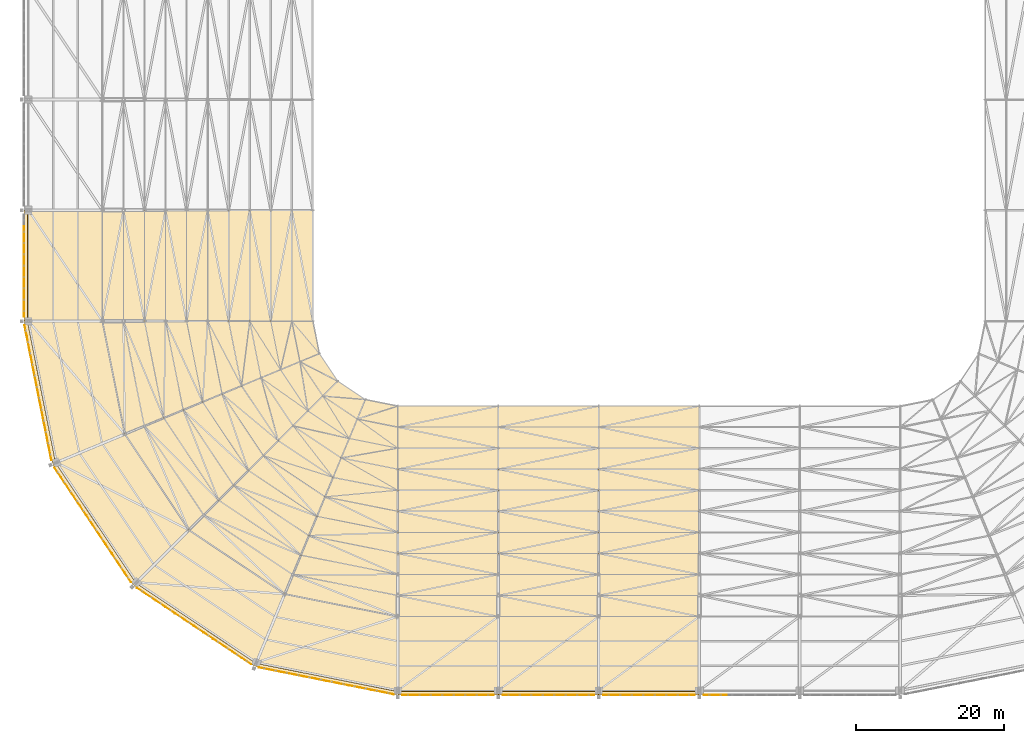
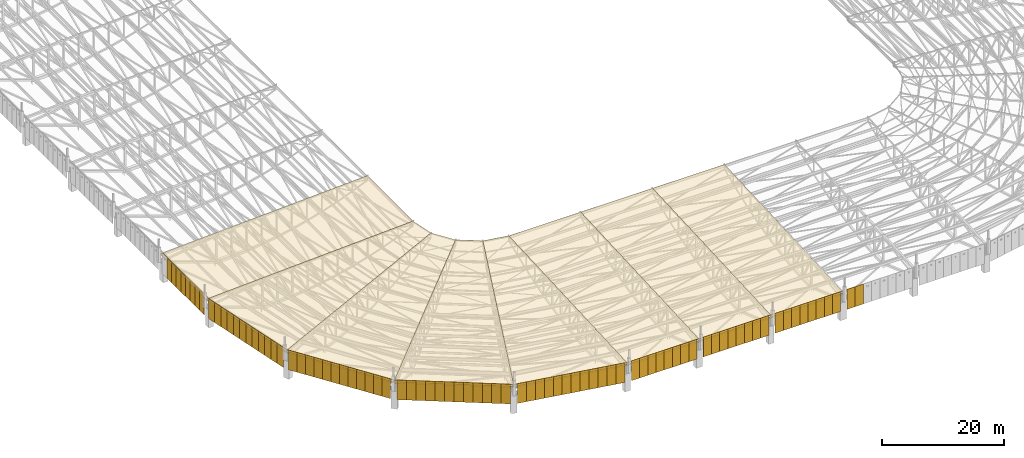
# One storey, part 271 of 278: 82 shading devices, 16 coverings.
"""IFC4 building model written with IfcOpenShell, lengths in metres."""

import ifcopenshell
import ifcopenshell.guid

model = None  # the IFC model being written
_history = None  # IfcOwnerHistory: only IFC2X3 demands one
_inside = {}  # id of a spatial element -> (the spatial element, [elements in it])
_under = {}  # id of a project, library or spatial element -> (it, [spatial elements below it])
_declared = {}  # id of a project -> (the project, [libraries it declares])
_typed = {}  # id of a type object -> (the type object, [elements of that type])
_made_of = {}  # id of a material, layer set ... -> (it, [elements and type objects made of it])


def new_model(schema):
    """Start an empty IFC model of exactly this schema.

    Asked for "IFC4X3", IfcOpenShell would pick the latest addendum, in which some entities
    have other attributes; the version numbers below select the first issue.
    IFC2X3 requires an IfcOwnerHistory on every rooted entity: one is made here for all.
    """
    global model, _history
    if schema == "IFC4X3":
        model = ifcopenshell.file(schema_version=(4, 3, 0, 0))
    else:
        model = ifcopenshell.file(schema=schema)
    _inside.clear()
    _under.clear()
    _declared.clear()
    _typed.clear()
    _made_of.clear()
    _history = None
    if model.schema == "IFC2X3":
        org = make("IfcOrganization", Name="unknown")
        user = make(
            "IfcPersonAndOrganization",
            ThePerson=make("IfcPerson", FamilyName="unknown"),
            TheOrganization=org,
        )
        app = make(
            "IfcApplication",
            ApplicationDeveloper=org,
            Version="unknown",
            ApplicationFullName="unknown",
            ApplicationIdentifier="unknown",
        )
        _history = make(
            "IfcOwnerHistory",
            OwningUser=user,
            OwningApplication=app,
            ChangeAction="ADDED",
            CreationDate=0,
        )
    return model


def make(cls, **values):
    """One entity of the class cls with the attributes given. An attribute that is None is left unset."""
    return model.create_entity(
        cls, **{name: value for name, value in values.items() if value is not None}
    )


def rooted(cls, **values):
    """An entity with a GlobalId (a new one), such as an element, a storey or a relation."""
    return make(cls, GlobalId=ifcopenshell.guid.new(), OwnerHistory=_history, **values)


def si_unit(unit_type, name, prefix=None):
    """IfcSIUnit, for example si_unit("LENGTHUNIT", "METRE", prefix="MILLI")."""
    return make("IfcSIUnit", UnitType=unit_type, Prefix=prefix, Name=name)


def assignment(units):
    """IfcUnitAssignment: the units of a project."""
    return None if units is None else make("IfcUnitAssignment", Units=units)


def point(xyz):
    """IfcCartesianPoint."""
    return None if xyz is None else make("IfcCartesianPoint", Coordinates=xyz)


def direction(xyz):
    """IfcDirection."""
    return None if xyz is None else make("IfcDirection", DirectionRatios=xyz)


def frame(location, z_axis=None, x_axis=None):
    """IfcAxis2Placement3D, a coordinate frame: its origin and axes. An axis left out is left unset."""
    return make(
        "IfcAxis2Placement3D",
        Location=point(location),
        Axis=direction(z_axis),
        RefDirection=direction(x_axis),
    )


def frame_2d(location, x_axis=None):
    """IfcAxis2Placement2D, a coordinate frame in the plane: its origin and x axis."""
    return make(
        "IfcAxis2Placement2D", Location=point(location), RefDirection=direction(x_axis)
    )


def origin():
    """The frame at (0, 0, 0) with its axes left unset."""
    return frame((0.0, 0.0, 0.0))


def origin_2d():
    """The frame at (0, 0) in the plane with its x axis left unset."""
    return frame_2d((0.0, 0.0))


def place(relative_to, where):
    """IfcLocalPlacement: puts the frame where relative to a parent placement (None: the world)."""
    return make(
        "IfcLocalPlacement", PlacementRelTo=relative_to, RelativePlacement=where
    )


def context(
    kind, dimensions, precision=None, world=None, true_north=None, identifier=None
):
    """IfcGeometricRepresentationContext, for example the 3D "Model" context."""
    return make(
        "IfcGeometricRepresentationContext",
        ContextIdentifier=identifier,
        ContextType=kind,
        CoordinateSpaceDimension=dimensions,
        Precision=precision,
        WorldCoordinateSystem=world,
        TrueNorth=true_north,
    )


def subcontext(parent, identifier, kind, view, scale=None):
    """IfcGeometricRepresentationSubContext, for example "Body" below "Model"."""
    return make(
        "IfcGeometricRepresentationSubContext",
        ContextIdentifier=identifier,
        ContextType=kind,
        ParentContext=parent,
        TargetScale=scale,
        TargetView=view,
    )


def project(units=None, contexts=None):
    """IfcProject with its units and contexts."""
    return rooted(
        "IfcProject",
        Name="project",
        RepresentationContexts=contexts,
        UnitsInContext=assignment(units),
    )


def spatial(cls, under=None, at=None, **own):
    """A site, building, storey or space (cls), placed at a placement, below another one or the project."""
    s = rooted(cls, ObjectPlacement=at, **own)
    if under is not None:
        _under.setdefault(under.id(), (under, []))[1].append(s)
    return s


def polyline(points):
    """IfcPolyline through the points."""
    return make("IfcPolyline", Points=[point(p) for p in points])


def profile(cls, at=None, kind="AREA", **sizes):
    """A parametric profile (cls). Its sizes go by their IFC names, for example OverallWidth=200.0."""
    return make(cls, ProfileType=kind, Position=at, **sizes)


def rectangle(**sizes):
    """IfcRectangleProfileDef."""
    return profile("IfcRectangleProfileDef", **sizes)


def outline(outer, holes=None, kind="AREA"):
    """IfcArbitraryClosedProfileDef: a profile drawn as a closed curve; with holes, ...WithVoids."""
    if holes is None:
        return make("IfcArbitraryClosedProfileDef", ProfileType=kind, OuterCurve=outer)
    return make(
        "IfcArbitraryProfileDefWithVoids",
        ProfileType=kind,
        OuterCurve=outer,
        InnerCurves=holes,
    )


def extrude(swept, where, along, depth):
    """IfcExtrudedAreaSolid: the profile swept, set in the frame where, extruded along a direction by depth."""
    return make(
        "IfcExtrudedAreaSolid",
        SweptArea=swept,
        Position=where,
        ExtrudedDirection=direction(along),
        Depth=depth,
    )


def shape(context_of_items, identifier, shape_type, items):
    """IfcShapeRepresentation: the items that make up one representation, for example the "Body"."""
    return make(
        "IfcShapeRepresentation",
        ContextOfItems=context_of_items,
        RepresentationIdentifier=identifier,
        RepresentationType=shape_type,
        Items=items,
    )


def material(Name=None, Category=None):
    """IfcMaterial."""
    return make("IfcMaterial", Name=Name, Category=Category)


def layer(
    of_material, thickness, ventilated=None, Name=None, Category=None, Priority=None
):
    """IfcMaterialLayer: one layer of a wall or slab, of a material (None: an air gap)."""
    return make(
        "IfcMaterialLayer",
        Material=of_material,
        LayerThickness=thickness,
        IsVentilated=ventilated,
        Name=Name,
        Category=Category,
        Priority=Priority,
    )


def layer_set(layers, Name=None):
    """IfcMaterialLayerSet."""
    return make("IfcMaterialLayerSet", MaterialLayers=layers, LayerSetName=Name)


def made_of(thing, what):
    """Note that an element or type object is made of a material, layer set ...; save() writes the relation."""
    if what is not None:
        _made_of.setdefault(what.id(), (what, []))[1].append(thing)
    return thing


def type_object(cls, material=None, **own):
    """A type object (cls), such as IfcWallType, which elements share."""
    return made_of(rooted(cls, **own), material)


def element(
    cls,
    number,
    at=None,
    inside=None,
    cuts=None,
    type_object=None,
    material=None,
    context=None,
    identifier="Body",
    shape_type=None,
    held_by="IfcProductDefinitionShape",
    body=None,
    shapes=None,
    **own,
):
    """One element of the class cls, such as IfcWall. Its Tag is "e" and its number.

    at: its placement. inside: the storey or other place that contains it. cuts: it is an
    opening in that element (IfcRelVoidsElement). A single representation is given by context,
    identifier, shape_type and body (its items); several are given by shapes. held_by: the class
    of the entity that holds the representations. save() writes the other relations.
    """
    e = rooted(cls, Tag="e%d" % number, ObjectPlacement=at, **own)
    if body is not None:
        shapes = [shape(context, identifier, shape_type, body)]
    if shapes is not None:
        e.Representation = make(held_by, Representations=shapes)
    if inside is not None:
        _inside.setdefault(inside.id(), (inside, []))[1].append(e)
    if cuts is not None:
        rooted(
            "IfcRelVoidsElement", RelatingBuildingElement=cuts, RelatedOpeningElement=e
        )
    if type_object is not None:
        _typed.setdefault(type_object.id(), (type_object, []))[1].append(e)
    return made_of(e, material)


def aggregate(whole, parts):
    """IfcRelAggregates: a whole, such as a stair, and the parts it consists of."""
    return rooted("IfcRelAggregates", RelatingObject=whole, RelatedObjects=parts)


def save(model, path):
    """Write the relations noted so far, then the file.

    IfcRelAggregates (storeys below a building ...), IfcRelContainedInSpatialStructure (elements
    in a storey), IfcRelDefinesByType, IfcRelAssociatesMaterial and IfcRelDeclares: one each for
    every whole, place, type object, material and project.
    """
    for whole, parts in _under.values():
        aggregate(whole, parts)
    for where, things in _inside.values():
        rooted(
            "IfcRelContainedInSpatialStructure",
            RelatedElements=things,
            RelatingStructure=where,
        )
    for kind, things in _typed.values():
        rooted("IfcRelDefinesByType", RelatedObjects=things, RelatingType=kind)
    for what, things in _made_of.values():
        rooted("IfcRelAssociatesMaterial", RelatedObjects=things, RelatingMaterial=what)
    for by, libraries in _declared.values():
        rooted("IfcRelDeclares", RelatingContext=by, RelatedDefinitions=libraries)
    model.write(path)


model = new_model("IFC4")

# Units and contexts
model_context = context("Model", 3, precision=1e-05, world=origin(), true_north=direction((0.0, 1.0)))
body_context = subcontext(model_context, "Body", "Model", "MODEL_VIEW")
ifc_project = project(units=[si_unit("LENGTHUNIT", "METRE"), si_unit("AREAUNIT", "SQUARE_METRE"), si_unit("VOLUMEUNIT", "CUBIC_METRE"), si_unit("PLANEANGLEUNIT", "RADIAN"), si_unit("MASSUNIT", "GRAM", prefix="KILO")], contexts=[model_context])

# Site, building, storey
site_placement = place(None, origin())
site = spatial("IfcSite", under=ifc_project, at=site_placement, CompositionType="ELEMENT")
building_placement = place(site_placement, origin())
building = spatial("IfcBuilding", under=site, at=building_placement, Name="Ogive Plaza Stadium", CompositionType="ELEMENT")
storey_placement = place(building_placement, frame((0.0, 0.0, 29.0)))
storey = spatial("IfcBuildingStorey", under=building, at=storey_placement, Name="Roof", CompositionType="ELEMENT", Elevation=29.0)

# Coverings
ifc_material_1 = material(Name="Titanium-zinc sheet", Category="metal")
ifc_layer_1 = layer(ifc_material_1, 0.010009765625)
ifc_layer_set_1 = layer_set([ifc_layer_1], Name="Eave box gutter")
covering_type_1 = type_object("IfcCoveringType", Name="Eave box gutter", PredefinedType="CLADDING", material=ifc_layer_set_1)
for number, where, z_axis, x_axis, name in (
    (1, (0.0, -102.87744140625, 5.2001953125), (0.0, 0.0, 1.0), (-1.0, 0.0, 0.0), "EAVE GUTTER B14"),
    (2, (-13.60009765625, -102.87744140625, 5.2001953125), (0.0, 0.0, 1.0), (-1.0, 0.0, 0.0), "EAVE GUTTER B15"),
    (3, (-27.199951171875, -102.87744140625, 5.2001953125), (0.0, 0.0, 1.0), (-1.0, 0.0, 0.0), "EAVE GUTTER B16"),
):
    element("IfcCovering", number, at=place(storey_placement, frame(where, z_axis=z_axis, x_axis=x_axis)), inside=storey, type_object=covering_type_1, Name=name, PredefinedType="CLADDING", context=body_context, shape_type="SweptSolid", body=[
        extrude(rectangle(XDim=13.60009765625, YDim=0.449951171875, at=origin_2d()), origin(), (0.0, 0.0, 1.0), 0.300048828125),
    ])
for number, where, z_axis, x_axis, name in (
    (4, (-43.64013671875, -100.96435546875, 5.2001953125), (0.0, 0.0, 1.0), (-0.980785280403, 0.195090322016, 0.0), "EAVE GUTTER B17"),
    (5, (-61.452880859375, -93.5859375, 5.2001953125), (0.0, 0.0, 1.0), (-0.831469612303, 0.55557023302, 0.0), "EAVE GUTTER B18"),
    (6, (-75.0859375, -79.952880859375, 5.2001953125), (0.0, 0.0, 1.0), (-0.55557023302, 0.831469612303, 0.0), "EAVE GUTTER B19"),
    (7, (-82.46435546875, -62.14013671875, 5.2001953125), (0.0, 0.0, 1.0), (-0.195090322016, 0.980785280403, 0.0), "EAVE GUTTER B20"),
):
    element("IfcCovering", number, at=place(storey_placement, frame(where, z_axis=z_axis, x_axis=x_axis)), inside=storey, type_object=covering_type_1, Name=name, PredefinedType="CLADDING", context=body_context, shape_type="SweptSolid", body=[
        extrude(rectangle(XDim=19.568603515625, YDim=0.449951171875, at=origin_2d()), origin(), (0.0, 0.0, 1.0), 0.300048828125),
    ])
covering_1_placement = place(storey_placement, frame((-84.37744140625, -45.0, 5.2001953125), z_axis=(0.0, 0.0, 1.0), x_axis=(0.0, 1.0, 0.0)))
element("IfcCovering", 8, at=covering_1_placement, inside=storey, type_object=covering_type_1, Name="EAVE GUTTER B21", PredefinedType="CLADDING", context=body_context, shape_type="SweptSolid", body=[
    extrude(rectangle(XDim=15.0, YDim=0.449951171875, at=origin_2d()), origin(), (0.0, 0.0, 1.0), 0.300048828125),
])
ifc_material_2 = material(Name="PTFE-coated glass-fibre membrane", Category="glass")
ifc_layer_2 = layer(ifc_material_2, 0.050048828125)
ifc_layer_set_2 = layer_set([ifc_layer_2], Name="Roof membrane panel")
covering_type_2 = type_object("IfcCoveringType", Name="Roof membrane panel", PredefinedType="ROOFING", material=ifc_layer_set_2)
covering_2_placement = place(storey_placement, frame((6.800048828125, -64.0, 7.47509765625), z_axis=(0.0, -0.049937616944, 0.998752338878), x_axis=(0.0, -0.998752338878, -0.049937616944)))
element("IfcCovering", 9, at=covering_2_placement, inside=storey, type_object=covering_type_2, Name="ROOF PANEL B14", PredefinedType="ROOFING", context=body_context, shape_type="SweptSolid", body=[
    extrude(outline(polyline([(0.0, 0.0), (38.7006290202315, 0.0), (38.7006290202315, -13.60009765625), (0.0, -13.60009765625), (0.0, 0.0)])), origin(), (0.0, 0.0, -1.0), 0.050048828125),
])
covering_3_placement = place(storey_placement, frame((-6.800048828125, -64.0, 7.47509765625), z_axis=(0.0, -0.049937616944, 0.998752338878), x_axis=(0.0, -0.998752338878, -0.049937616944)))
element("IfcCovering", 10, at=covering_3_placement, inside=storey, type_object=covering_type_2, Name="ROOF PANEL B15", PredefinedType="ROOFING", context=body_context, shape_type="SweptSolid", body=[
    extrude(outline(polyline([(0.0, 0.0), (38.7006290202315, 0.0), (38.7006290202315, -13.599853515624998), (0.0, -13.599853515624998), (0.0, 0.0)])), origin(), (0.0, 0.0, -1.0), 0.050048828125),
])
covering_4_placement = place(storey_placement, frame((-20.39990234375, -64.0, 7.47509765625), z_axis=(0.0, -0.049937616944, 0.998752338878), x_axis=(0.0, -0.998752338878, -0.049937616944)))
element("IfcCovering", 11, at=covering_4_placement, inside=storey, type_object=covering_type_2, Name="ROOF PANEL B16", PredefinedType="ROOFING", context=body_context, shape_type="SweptSolid", body=[
    extrude(outline(polyline([(0.0, 0.0), (38.7006290202315, 0.0), (38.7006290202315, -13.60009765625), (0.0, -13.60009765625), (0.0, 0.0)])), origin(), (0.0, 0.0, -1.0), 0.050048828125),
])
covering_5_placement = place(storey_placement, frame((-34.0, -64.0, 7.47509765625), z_axis=(-0.009932961892, -0.04993505547, 0.998703072241), x_axis=(-9.74e-10, -0.998752343772, -0.049937519051)))
element("IfcCovering", 12, at=covering_5_placement, inside=storey, type_object=covering_type_2, Name="ROOF PANEL B17", PredefinedType="ROOFING", context=body_context, shape_type="SweptSolid", body=[
    extrude(outline(polyline([(0.0, 0.0), (38.70062902023132, 3.469446951953614e-18), (34.88776517183497, -19.19332964465389), (-0.8743959685589578, -4.401096064418014), (0.0, 0.0)])), origin(), (0.0, 0.0, -1.0), 0.050048828125),
])
covering_6_placement = place(storey_placement, frame((-38.40087890625, -63.12451171875, 7.47509765625), z_axis=(-0.028285334756, -0.0423334421, 0.998703068744), x_axis=(-0.38220271868, -0.92272818434, -0.049937757847)))
element("IfcCovering", 13, at=covering_6_placement, inside=storey, type_object=covering_type_2, Name="ROOF PANEL B18", PredefinedType="ROOFING", context=body_context, shape_type="SweptSolid", body=[
    extrude(outline(polyline([(0.0, 0.0), (38.70067626959137, -1.4918621893400541e-15), (34.88788675244272, -19.19352237293038), (-0.8740802771596128, -4.401074481133384), (0.0, 0.0)])), origin(), (0.0, 0.0, -1.0), 0.050048828125),
])
covering_7_placement = place(storey_placement, frame((-42.1318359375, -60.6318359375, 7.47509765625), z_axis=(-0.0423334421, -0.028285334756, 0.998703068744), x_axis=(-0.706224557813, -0.706224554973, -0.049937479857)))
element("IfcCovering", 14, at=covering_7_placement, inside=storey, type_object=covering_type_2, Name="ROOF PANEL B19", PredefinedType="ROOFING", context=body_context, shape_type="SweptSolid", body=[
    extrude(outline(polyline([(0.0, 0.0), (38.70057881295696, -1.2559397966072083e-15), (34.887552468526074, -19.19347532571769), (-0.8745046176349289, -4.400990183258547), (0.0, 0.0)])), origin(), (0.0, 0.0, -1.0), 0.050048828125),
])
covering_8_placement = place(storey_placement, frame((-44.62451171875, -56.90087890625, 7.47509765625), z_axis=(-0.04993505547, -0.009932961892, 0.998703072241), x_axis=(-0.922728188002, -0.382202723424, -0.049937653868)))
element("IfcCovering", 15, at=covering_8_placement, inside=storey, type_object=covering_type_2, Name="ROOF PANEL B20", PredefinedType="ROOFING", context=body_context, shape_type="SweptSolid", body=[
    extrude(outline(polyline([(0.0, 0.0), (38.70067626959198, -8.81239525796218e-16), (34.88792729059308, -19.193352463754227), (-0.8741901880509053, -4.401136943243575), (0.0, 0.0)])), origin(), (0.0, 0.0, -1.0), 0.050048828125),
])
covering_9_placement = place(storey_placement, frame((-45.5, -52.5, 7.47509765625), z_axis=(-0.049937616944, 0.0, 0.998752338878), x_axis=(-0.998752338878, 0.0, -0.049937616944)))
element("IfcCovering", 16, at=covering_9_placement, inside=storey, type_object=covering_type_2, Name="ROOF PANEL B21", PredefinedType="ROOFING", context=body_context, shape_type="SweptSolid", body=[
    extrude(outline(polyline([(0.0, 0.0), (38.7006290202315, 0.0), (38.7006290202315, -15.0), (0.0, -15.0), (0.0, 0.0)])), origin(), (0.0, 0.0, -1.0), 0.050048828125),
])

# Shading devices
ifc_material_3 = material(Name="Perforated bronze-anodised aluminium", Category="aluminium")
ifc_layer_3 = layer(ifc_material_3, 0.050048828125)
ifc_layer_set_3 = layer_set([ifc_layer_3], Name="Tracery screen panel")
shading_device_type = type_object("IfcShadingDeviceType", Name="Tracery screen panel", PredefinedType="SHUTTER", material=ifc_layer_set_3)
for number, where, z_axis, x_axis, name in (
    (17, (9.72509765625, -103.12744140625, 2.0), (0.0, 0.0, 1.0), (-1.0, 0.0, 0.0), "TRACERY SCREEN B13 7"),
    (18, (8.175048828125, -103.12744140625, 2.0), (0.0, 0.0, 1.0), (-1.0, 0.0, 0.0), "TRACERY SCREEN B13 8"),
    (19, (5.425048828125, -103.12744140625, 2.0), (0.0, 0.0, 1.0), (-1.0, 0.0, 0.0), "TRACERY SCREEN B14 1"),
    (20, (3.875, -103.12744140625, 2.0), (0.0, 0.0, 1.0), (-1.0, 0.0, 0.0), "TRACERY SCREEN B14 2"),
    (21, (2.324951171875, -103.12744140625, 2.0), (0.0, 0.0, 1.0), (-1.0, 0.0, 0.0), "TRACERY SCREEN B14 3"),
    (22, (0.77490234375, -103.12744140625, 2.0), (0.0, 0.0, 1.0), (-1.0, 0.0, 0.0), "TRACERY SCREEN B14 4"),
    (23, (-0.77490234375, -103.12744140625, 2.0), (0.0, 0.0, 1.0), (-1.0, 0.0, 0.0), "TRACERY SCREEN B14 5"),
    (24, (-2.324951171875, -103.12744140625, 2.0), (0.0, 0.0, 1.0), (-1.0, 0.0, 0.0), "TRACERY SCREEN B14 6"),
    (25, (-3.875, -103.12744140625, 2.0), (0.0, 0.0, 1.0), (-1.0, 0.0, 0.0), "TRACERY SCREEN B14 7"),
    (26, (-5.425048828125, -103.12744140625, 2.0), (0.0, 0.0, 1.0), (-1.0, 0.0, 0.0), "TRACERY SCREEN B14 8"),
    (27, (-8.175048828125, -103.12744140625, 2.0), (0.0, 0.0, 1.0), (-1.0, 0.0, 0.0), "TRACERY SCREEN B15 1"),
    (28, (-9.72509765625, -103.12744140625, 2.0), (0.0, 0.0, 1.0), (-1.0, 0.0, 0.0), "TRACERY SCREEN B15 2"),
    (29, (-11.27490234375, -103.12744140625, 2.0), (0.0, 0.0, 1.0), (-1.0, 0.0, 0.0), "TRACERY SCREEN B15 3"),
    (30, (-12.824951171875, -103.12744140625, 2.0), (0.0, 0.0, 1.0), (-1.0, 0.0, 0.0), "TRACERY SCREEN B15 4"),
    (31, (-14.375, -103.12744140625, 2.0), (0.0, 0.0, 1.0), (-1.0, 0.0, 0.0), "TRACERY SCREEN B15 5"),
    (32, (-15.925048828125, -103.12744140625, 2.0), (0.0, 0.0, 1.0), (-1.0, 0.0, 0.0), "TRACERY SCREEN B15 6"),
    (33, (-17.47509765625, -103.12744140625, 2.0), (0.0, 0.0, 1.0), (-1.0, 0.0, 0.0), "TRACERY SCREEN B15 7"),
    (34, (-19.02490234375, -103.12744140625, 2.0), (0.0, 0.0, 1.0), (-1.0, 0.0, 0.0), "TRACERY SCREEN B15 8"),
    (35, (-21.77490234375, -103.12744140625, 2.0), (0.0, 0.0, 1.0), (-1.0, 0.0, 0.0), "TRACERY SCREEN B16 1"),
    (36, (-23.324951171875, -103.12744140625, 2.0), (0.0, 0.0, 1.0), (-1.0, 0.0, 0.0), "TRACERY SCREEN B16 2"),
    (37, (-24.875, -103.12744140625, 2.0), (0.0, 0.0, 1.0), (-1.0, 0.0, 0.0), "TRACERY SCREEN B16 3"),
    (38, (-26.425048828125, -103.12744140625, 2.0), (0.0, 0.0, 1.0), (-1.0, 0.0, 0.0), "TRACERY SCREEN B16 4"),
    (39, (-27.97509765625, -103.12744140625, 2.0), (0.0, 0.0, 1.0), (-1.0, 0.0, 0.0), "TRACERY SCREEN B16 5"),
    (40, (-29.52490234375, -103.12744140625, 2.0), (0.0, 0.0, 1.0), (-1.0, 0.0, 0.0), "TRACERY SCREEN B16 6"),
    (41, (-31.074951171875, -103.12744140625, 2.0), (0.0, 0.0, 1.0), (-1.0, 0.0, 0.0), "TRACERY SCREEN B16 7"),
    (42, (-32.625, -103.12744140625, 2.0), (0.0, 0.0, 1.0), (-1.0, 0.0, 0.0), "TRACERY SCREEN B16 8"),
):
    element("IfcShadingDevice", number, at=place(storey_placement, frame(where, z_axis=z_axis, x_axis=x_axis)), inside=storey, type_object=shading_device_type, Name=name, PredefinedType="SHUTTER", context=body_context, shape_type="SweptSolid", body=[
        extrude(rectangle(XDim=1.550048828125, YDim=0.050048828125, at=origin_2d()), origin(), (0.0, 0.0, 1.0), 4.0),
    ])
for number, where, z_axis, x_axis, name in (
    (43, (-35.316162109375, -102.875, 2.0), (0.0, 0.0, 1.0), (-0.980785280403, 0.195090322016, 0.0), "TRACERY SCREEN B17 1"),
    (44, (-36.83837890625, -102.572021484375, 2.0), (0.0, 0.0, 1.0), (-0.980785280403, 0.195090322016, 0.0), "TRACERY SCREEN B17 2"),
    (45, (-38.36083984375, -102.269287109375, 2.0), (0.0, 0.0, 1.0), (-0.980785280403, 0.195090322016, 0.0), "TRACERY SCREEN B17 3"),
    (46, (-39.883056640625, -101.966552734375, 2.0), (0.0, 0.0, 1.0), (-0.980785280403, 0.195090322016, 0.0), "TRACERY SCREEN B17 4"),
    (47, (-41.405517578125, -101.66357421875, 2.0), (0.0, 0.0, 1.0), (-0.980785280403, 0.195090322016, 0.0), "TRACERY SCREEN B17 5"),
    (48, (-42.927734375, -101.36083984375, 2.0), (0.0, 0.0, 1.0), (-0.980785280403, 0.195090322016, 0.0), "TRACERY SCREEN B17 6"),
    (49, (-44.4501953125, -101.05810546875, 2.0), (0.0, 0.0, 1.0), (-0.980785280403, 0.195090322016, 0.0), "TRACERY SCREEN B17 7"),
    (50, (-45.972412109375, -100.755126953125, 2.0), (0.0, 0.0, 1.0), (-0.980785280403, 0.195090322016, 0.0), "TRACERY SCREEN B17 8"),
    (51, (-47.494873046875, -100.452392578125, 2.0), (0.0, 0.0, 1.0), (-0.980785280403, 0.195090322016, 0.0), "TRACERY SCREEN B17 9"),
    (52, (-49.01708984375, -100.149658203125, 2.0), (0.0, 0.0, 1.0), (-0.980785280403, 0.195090322016, 0.0), "TRACERY SCREEN B17 10"),
    (53, (-50.53955078125, -99.846923828125, 2.0), (0.0, 0.0, 1.0), (-0.980785280403, 0.195090322016, 0.0), "TRACERY SCREEN B17 11"),
    (54, (-52.061767578125, -99.5439453125, 2.0), (0.0, 0.0, 1.0), (-0.980785280403, 0.195090322016, 0.0), "TRACERY SCREEN B17 12"),
    (55, (-54.493408203125, -98.53662109375, 2.0), (0.0, 0.0, 1.0), (-0.831469612303, 0.55557023302, 0.0), "TRACERY SCREEN B18 1"),
    (56, (-55.7841796875, -97.67431640625, 2.0), (0.0, 0.0, 1.0), (-0.831469612303, 0.55557023302, 0.0), "TRACERY SCREEN B18 2"),
    (57, (-57.07470703125, -96.81201171875, 2.0), (0.0, 0.0, 1.0), (-0.831469612303, 0.55557023302, 0.0), "TRACERY SCREEN B18 3"),
    (58, (-58.365234375, -95.94970703125, 2.0), (0.0, 0.0, 1.0), (-0.831469612303, 0.55557023302, 0.0), "TRACERY SCREEN B18 4"),
    (59, (-59.65576171875, -95.08740234375, 2.0), (0.0, 0.0, 1.0), (-0.831469612303, 0.55557023302, 0.0), "TRACERY SCREEN B18 5"),
    (60, (-60.9462890625, -94.22509765625, 2.0), (0.0, 0.0, 1.0), (-0.831469612303, 0.55557023302, 0.0), "TRACERY SCREEN B18 6"),
    (61, (-62.237060546875, -93.36279296875, 2.0), (0.0, 0.0, 1.0), (-0.831469612303, 0.55557023302, 0.0), "TRACERY SCREEN B18 7"),
    (62, (-63.527587890625, -92.50048828125, 2.0), (0.0, 0.0, 1.0), (-0.831469612303, 0.55557023302, 0.0), "TRACERY SCREEN B18 8"),
    (63, (-64.818115234375, -91.637939453125, 2.0), (0.0, 0.0, 1.0), (-0.831469612303, 0.55557023302, 0.0), "TRACERY SCREEN B18 9"),
    (64, (-66.108642578125, -90.775634765625, 2.0), (0.0, 0.0, 1.0), (-0.831469612303, 0.55557023302, 0.0), "TRACERY SCREEN B18 10"),
    (65, (-67.399169921875, -89.913330078125, 2.0), (0.0, 0.0, 1.0), (-0.831469612303, 0.55557023302, 0.0), "TRACERY SCREEN B18 11"),
    (66, (-68.68994140625, -89.051025390625, 2.0), (0.0, 0.0, 1.0), (-0.831469612303, 0.55557023302, 0.0), "TRACERY SCREEN B18 12"),
    (67, (-70.551025390625, -87.18994140625, 2.0), (0.0, 0.0, 1.0), (-0.55557023302, 0.831469612303, 0.0), "TRACERY SCREEN B19 1"),
    (68, (-71.413330078125, -85.899169921875, 2.0), (0.0, 0.0, 1.0), (-0.55557023302, 0.831469612303, 0.0), "TRACERY SCREEN B19 2"),
    (69, (-72.275634765625, -84.608642578125, 2.0), (0.0, 0.0, 1.0), (-0.55557023302, 0.831469612303, 0.0), "TRACERY SCREEN B19 3"),
    (70, (-73.137939453125, -83.318115234375, 2.0), (0.0, 0.0, 1.0), (-0.55557023302, 0.831469612303, 0.0), "TRACERY SCREEN B19 4"),
    (71, (-74.00048828125, -82.027587890625, 2.0), (0.0, 0.0, 1.0), (-0.55557023302, 0.831469612303, 0.0), "TRACERY SCREEN B19 5"),
    (72, (-74.86279296875, -80.737060546875, 2.0), (0.0, 0.0, 1.0), (-0.55557023302, 0.831469612303, 0.0), "TRACERY SCREEN B19 6"),
    (73, (-75.72509765625, -79.4462890625, 2.0), (0.0, 0.0, 1.0), (-0.55557023302, 0.831469612303, 0.0), "TRACERY SCREEN B19 7"),
    (74, (-76.58740234375, -78.15576171875, 2.0), (0.0, 0.0, 1.0), (-0.55557023302, 0.831469612303, 0.0), "TRACERY SCREEN B19 8"),
    (75, (-77.44970703125, -76.865234375, 2.0), (0.0, 0.0, 1.0), (-0.55557023302, 0.831469612303, 0.0), "TRACERY SCREEN B19 9"),
    (76, (-78.31201171875, -75.57470703125, 2.0), (0.0, 0.0, 1.0), (-0.55557023302, 0.831469612303, 0.0), "TRACERY SCREEN B19 10"),
    (77, (-79.17431640625, -74.2841796875, 2.0), (0.0, 0.0, 1.0), (-0.55557023302, 0.831469612303, 0.0), "TRACERY SCREEN B19 11"),
    (78, (-80.03662109375, -72.993408203125, 2.0), (0.0, 0.0, 1.0), (-0.55557023302, 0.831469612303, 0.0), "TRACERY SCREEN B19 12"),
    (79, (-81.0439453125, -70.561767578125, 2.0), (0.0, 0.0, 1.0), (-0.195090322016, 0.980785280403, 0.0), "TRACERY SCREEN B20 1"),
    (80, (-81.346923828125, -69.03955078125, 2.0), (0.0, 0.0, 1.0), (-0.195090322016, 0.980785280403, 0.0), "TRACERY SCREEN B20 2"),
    (81, (-81.649658203125, -67.51708984375, 2.0), (0.0, 0.0, 1.0), (-0.195090322016, 0.980785280403, 0.0), "TRACERY SCREEN B20 3"),
    (82, (-81.952392578125, -65.994873046875, 2.0), (0.0, 0.0, 1.0), (-0.195090322016, 0.980785280403, 0.0), "TRACERY SCREEN B20 4"),
    (83, (-82.255126953125, -64.472412109375, 2.0), (0.0, 0.0, 1.0), (-0.195090322016, 0.980785280403, 0.0), "TRACERY SCREEN B20 5"),
    (84, (-82.55810546875, -62.9501953125, 2.0), (0.0, 0.0, 1.0), (-0.195090322016, 0.980785280403, 0.0), "TRACERY SCREEN B20 6"),
    (85, (-82.86083984375, -61.427734375, 2.0), (0.0, 0.0, 1.0), (-0.195090322016, 0.980785280403, 0.0), "TRACERY SCREEN B20 7"),
    (86, (-83.16357421875, -59.905517578125, 2.0), (0.0, 0.0, 1.0), (-0.195090322016, 0.980785280403, 0.0), "TRACERY SCREEN B20 8"),
    (87, (-83.466552734375, -58.383056640625, 2.0), (0.0, 0.0, 1.0), (-0.195090322016, 0.980785280403, 0.0), "TRACERY SCREEN B20 9"),
    (88, (-83.769287109375, -56.86083984375, 2.0), (0.0, 0.0, 1.0), (-0.195090322016, 0.980785280403, 0.0), "TRACERY SCREEN B20 10"),
    (89, (-84.072021484375, -55.33837890625, 2.0), (0.0, 0.0, 1.0), (-0.195090322016, 0.980785280403, 0.0), "TRACERY SCREEN B20 11"),
    (90, (-84.375, -53.816162109375, 2.0), (0.0, 0.0, 1.0), (-0.195090322016, 0.980785280403, 0.0), "TRACERY SCREEN B20 12"),
):
    element("IfcShadingDevice", number, at=place(storey_placement, frame(where, z_axis=z_axis, x_axis=x_axis)), inside=storey, type_object=shading_device_type, Name=name, PredefinedType="SHUTTER", context=body_context, shape_type="SweptSolid", body=[
        extrude(rectangle(XDim=1.55224609375, YDim=0.050048828125, at=origin_2d()), origin(), (0.0, 0.0, 1.0), 4.0),
    ])
for number, where, z_axis, x_axis, name in (
    (91, (-84.62744140625, -51.13330078125, 2.0), (0.0, 0.0, 1.0), (0.0, 1.0, 0.0), "TRACERY SCREEN B21 1"),
    (92, (-84.62744140625, -49.60009765625, 2.0), (0.0, 0.0, 1.0), (0.0, 1.0, 0.0), "TRACERY SCREEN B21 2"),
    (93, (-84.62744140625, -48.066650390625, 2.0), (0.0, 0.0, 1.0), (0.0, 1.0, 0.0), "TRACERY SCREEN B21 3"),
    (94, (-84.62744140625, -46.533447265625, 2.0), (0.0, 0.0, 1.0), (0.0, 1.0, 0.0), "TRACERY SCREEN B21 4"),
    (95, (-84.62744140625, -45.0, 2.0), (0.0, 0.0, 1.0), (0.0, 1.0, 0.0), "TRACERY SCREEN B21 5"),
    (96, (-84.62744140625, -43.466552734375, 2.0), (0.0, 0.0, 1.0), (0.0, 1.0, 0.0), "TRACERY SCREEN B21 6"),
    (97, (-84.62744140625, -41.933349609375, 2.0), (0.0, 0.0, 1.0), (0.0, 1.0, 0.0), "TRACERY SCREEN B21 7"),
    (98, (-84.62744140625, -40.39990234375, 2.0), (0.0, 0.0, 1.0), (0.0, 1.0, 0.0), "TRACERY SCREEN B21 8"),
):
    element("IfcShadingDevice", number, at=place(storey_placement, frame(where, z_axis=z_axis, x_axis=x_axis)), inside=storey, type_object=shading_device_type, Name=name, PredefinedType="SHUTTER", context=body_context, shape_type="SweptSolid", body=[
        extrude(rectangle(XDim=1.533447265625, YDim=0.050048828125, at=origin_2d()), origin(), (0.0, 0.0, 1.0), 4.0),
    ])

save(model, "model.ifc")
